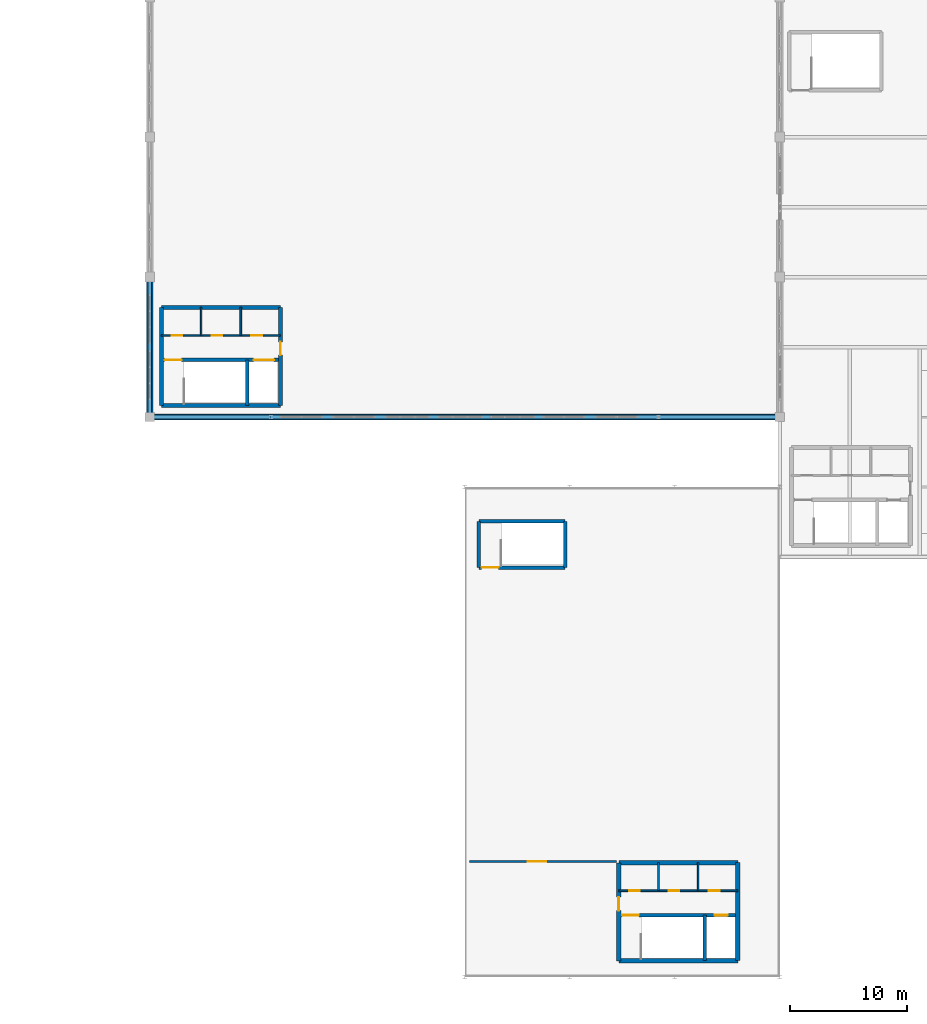
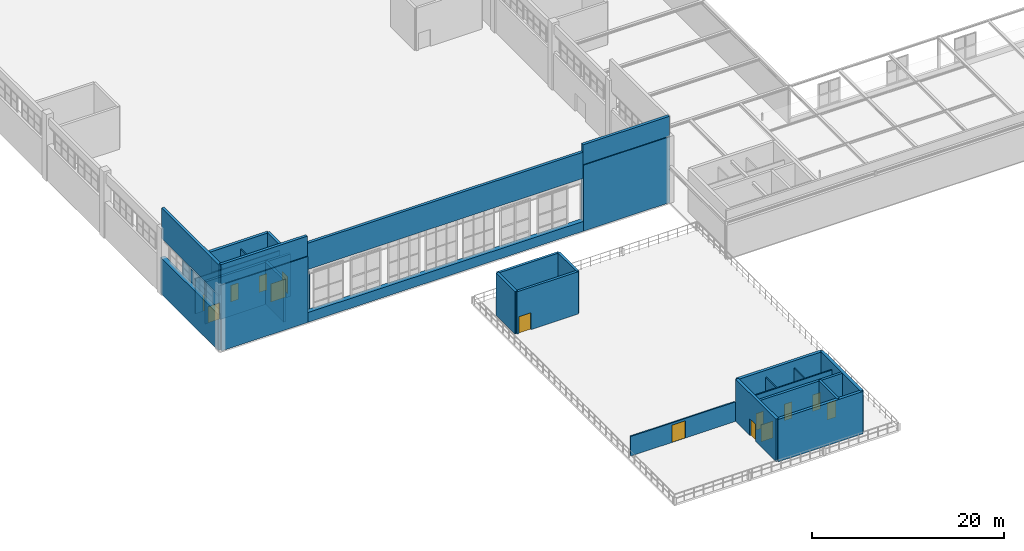
# One storey, part 77 of 97: 31 walls, 14 doors, 14 openings.
"""IFC4 building model written with IfcOpenShell, lengths in metres."""

from ifc_helpers import new_model, si_unit, derived_unit, direction, frame, frame_2d, origin, place, context, subcontext, project, spatial, rectangle, extrude, material, layer, layer_set, type_object, element, fill, save


model = new_model("IFC4")

# Units and contexts
model_context = context("Model", 3, precision=1e-05, world=origin(), true_north=direction((0.0, 1.0)))
body_context = subcontext(model_context, "Body", "Model", "MODEL_VIEW")
ifc_project = project(units=[si_unit("LENGTHUNIT", "METRE"), si_unit("AREAUNIT", "SQUARE_METRE"), si_unit("VOLUMEUNIT", "CUBIC_METRE"), si_unit("PLANEANGLEUNIT", "RADIAN"), si_unit("MASSUNIT", "GRAM", prefix="KILO"), derived_unit("THERMALTRANSMITTANCEUNIT", [(si_unit("POWERUNIT", "WATT"), 1), (si_unit("LENGTHUNIT", "METRE"), -2), (si_unit("THERMODYNAMICTEMPERATUREUNIT", "KELVIN"), -1)])], contexts=[model_context])

# Site, building, storey
site_placement = place(None, origin())
site = spatial("IfcSite", under=ifc_project, at=site_placement, CompositionType="ELEMENT")
building_placement = place(site_placement, origin())
building = spatial("IfcBuilding", under=site, at=building_placement, Name="Almenara Railside Exhibition Hall", CompositionType="ELEMENT")
storey_placement = place(building_placement, frame((0.0, 0.0, 10.800048828125)))
storey = spatial("IfcBuildingStorey", under=building, at=storey_placement, Name="L02", CompositionType="ELEMENT", Elevation=10.800048828125)

# Wall, opening, door
ifc_material_1 = material(Name="Double-stud acoustic gypsum partition")
ifc_layer_1 = layer(ifc_material_1, 0.159912109375, Name="Double-stud acoustic gypsum partition")
ifc_layer_set_1 = layer_set([ifc_layer_1], Name="Double-stud acoustic gypsum partition")
wall_type_1 = type_object("IfcWallType", Name="Acoustic Congress Partition 160mm", PredefinedType="PARTITIONING", material=ifc_layer_set_1)
wall_1_placement = place(storey_placement, frame((39.39990234375, 9.89990234375, 0.0), z_axis=(0.0, 0.0, 1.0), x_axis=(1.0, 0.0, 0.0)))
wall_1 = element("IfcWall", 1, at=wall_1_placement, inside=storey, type_object=wall_type_1, Name="Interior wall 0398", PredefinedType="PARTITIONING", context=body_context, shape_type="SweptSolid", body=[
    extrude(rectangle(XDim=12.60009765625, YDim=0.159912109375, at=frame_2d((6.300048828125, 0.0))), origin(), (0.0, 0.0, 1.0), 2.5),
])
opening_1_placement = place(wall_1_placement, frame((5.0, 0.0, 0.0)))
opening_1 = element("IfcOpeningElement", 2, at=opening_1_placement, cuts=wall_1, Name="Opening ID-16", PredefinedType="OPENING", context=body_context, shape_type="SweptSolid", body=[
    extrude(rectangle(XDim=1.60009765625, YDim=2.199951171875, at=frame_2d((0.800048828125, 1.10009765625))), frame((0.0, 0.08984375, 0.0), z_axis=(0.0, -1.0, 0.0), x_axis=(1.0, 0.0, 0.0)), (0.0, 0.0, 1.0), 0.179931640625),
])
ifc_material_2 = material(Name="Iroko hardwood double door", Category="wood")
door_type_1 = type_object("IfcDoorType", Name="Meeting Suite Double Door 1600x2200", OperationType="NOTDEFINED", PredefinedType="DOOR", material=ifc_material_2)
door_1_placement = place(opening_1_placement, origin())
door_1 = element("IfcDoor", 3, at=door_1_placement, inside=storey, type_object=door_type_1, Name="Interior door ID-16-286", OperationType="DOUBLE_DOOR_SINGLE_SWING", OverallHeight=2.199951171875, OverallWidth=1.60009765625, PredefinedType="DOOR", context=body_context, shape_type="SweptSolid", body=[
    extrude(rectangle(XDim=1.60009765625, YDim=2.199951171875, at=frame_2d((0.800048828125, 1.10009765625))), frame((0.0, 0.02490234375, 0.0), z_axis=(0.0, -1.0, 0.0), x_axis=(1.0, 0.0, 0.0)), (0.0, 0.0, 1.0), 0.050048828125),
])
fill(opening_1, door_1)

# Walls
ifc_material_3 = material(Name="Concrete C35/45", Category="concrete")
ifc_layer_2 = layer(ifc_material_3, 0.35009765625, Name="Concrete C35/45")
ifc_layer_set_2 = layer_set([ifc_layer_2], Name="Concrete C35/45")
wall_type_2 = type_object("IfcWallType", Name="Core Coupled Shear Wall 350mm C35/45", PredefinedType="SHEAR", material=ifc_layer_set_2)
for number, where, z_axis, x_axis, name in (
    (4, (13.0, 49.0, 0.0), (0.0, 0.0, 1.0), (1.0, 0.0, 0.0), "Interior wall 0019"),
    (5, (23.199951171875, 57.39990234375, 0.0), (0.0, 0.0, 1.0), (-1.0, 0.0, 0.0), "Interior wall 0020"),
):
    element("IfcWall", number, at=place(storey_placement, frame(where, z_axis=z_axis, x_axis=x_axis)), inside=storey, type_object=wall_type_2, Name=name, PredefinedType="SHEAR", context=body_context, shape_type="SweptSolid", body=[
        extrude(rectangle(XDim=10.199951171875, YDim=0.35009765625, at=frame_2d((5.10009765625, 0.0))), origin(), (0.0, 0.0, 1.0), 5.39990234375),
    ])
wall_2_placement = place(storey_placement, frame((13.0, 57.39990234375, 0.0), z_axis=(0.0, 0.0, 1.0), x_axis=(0.0, -1.0, 0.0)))
element("IfcWall", 6, at=wall_2_placement, inside=storey, type_object=wall_type_2, Name="Interior wall 0021", PredefinedType="SHEAR", context=body_context, shape_type="SweptSolid", body=[
    extrude(rectangle(XDim=8.39990234375, YDim=0.35009765625, at=frame_2d((4.199951171875, 0.0))), origin(), (0.0, 0.0, 1.0), 5.39990234375),
])

# Wall, opening, door
wall_3_placement = place(storey_placement, frame((23.199951171875, 49.0, 0.0), z_axis=(0.0, 0.0, 1.0), x_axis=(0.0, 1.0, 0.0)))
wall_3 = element("IfcWall", 7, at=wall_3_placement, inside=storey, type_object=wall_type_2, Name="Interior wall 0022", PredefinedType="SHEAR", context=body_context, shape_type="SweptSolid", body=[
    extrude(rectangle(XDim=8.39990234375, YDim=0.35009765625, at=frame_2d((4.199951171875, 0.0))), origin(), (0.0, 0.0, 1.0), 5.39990234375),
])
opening_2_placement = place(wall_3_placement, frame((4.300048828125, 0.0, 0.0)))
opening_2 = element("IfcOpeningElement", 8, at=opening_2_placement, cuts=wall_3, Name="Opening FD-115", PredefinedType="OPENING", context=body_context, shape_type="SweptSolid", body=[
    extrude(rectangle(XDim=1.14990234375, YDim=2.14990234375, at=frame_2d((0.574951171875, 1.074951171875))), frame((0.0, 0.18505859375, 0.0), z_axis=(0.0, -1.0, 0.0), x_axis=(1.0, 0.0, 0.0)), (0.0, 0.0, 1.0), 0.3701171875),
])
ifc_material_4 = material(Name="Fire-rated iroko timber door", Category="wood")
door_type_2 = type_object("IfcDoorType", Name="Core Lobby Fire Door 1150x2150 EI60", OperationType="NOTDEFINED", PredefinedType="DOOR", material=ifc_material_4)
door_2_placement = place(opening_2_placement, origin())
door_2 = element("IfcDoor", 9, at=door_2_placement, inside=storey, type_object=door_type_2, Name="Interior door FD-115-013", OperationType="SINGLE_SWING_LEFT", OverallHeight=2.14990234375, OverallWidth=1.14990234375, PredefinedType="DOOR", context=body_context, shape_type="SweptSolid", body=[
    extrude(rectangle(XDim=1.14990234375, YDim=2.14990234375, at=frame_2d((0.574951171875, 1.074951171875))), frame((0.0, 0.02490234375, 0.0), z_axis=(0.0, -1.0, 0.0), x_axis=(1.0, 0.0, 0.0)), (0.0, 0.0, 1.0), 0.050048828125),
])
fill(opening_2, door_2)

# Walls
for number, where, z_axis, x_axis, name in (
    (10, (52.199951171875, 1.39990234375, 0.0), (0.0, 0.0, 1.0), (1.0, 0.0, 0.0), "Interior wall 0208"),
    (11, (62.39990234375, 9.800048828125, 0.0), (0.0, 0.0, 1.0), (-1.0, 0.0, 0.0), "Interior wall 0209"),
):
    element("IfcWall", number, at=place(storey_placement, frame(where, z_axis=z_axis, x_axis=x_axis)), inside=storey, type_object=wall_type_2, Name=name, PredefinedType="SHEAR", context=body_context, shape_type="SweptSolid", body=[
        extrude(rectangle(XDim=10.199951171875, YDim=0.35009765625, at=frame_2d((5.10009765625, 0.0))), origin(), (0.0, 0.0, 1.0), 5.39990234375),
    ])

# Wall, opening, door
wall_4_placement = place(storey_placement, frame((52.199951171875, 9.800048828125, 0.0), z_axis=(0.0, 0.0, 1.0), x_axis=(0.0, -1.0, 0.0)))
wall_4 = element("IfcWall", 12, at=wall_4_placement, inside=storey, type_object=wall_type_2, Name="Interior wall 0210", PredefinedType="SHEAR", context=body_context, shape_type="SweptSolid", body=[
    extrude(rectangle(XDim=8.400146484375, YDim=0.35009765625, at=frame_2d((4.2001953125, 0.0))), origin(), (0.0, 0.0, 1.0), 5.39990234375),
])
opening_3_placement = place(wall_4_placement, frame((2.949951171875, 0.0, 0.0)))
opening_3 = element("IfcOpeningElement", 13, at=opening_3_placement, cuts=wall_4, Name="Opening FD-115", PredefinedType="OPENING", context=body_context, shape_type="SweptSolid", body=[
    extrude(rectangle(XDim=1.14990234375, YDim=2.14990234375, at=frame_2d((0.574951171875, 1.074951171875))), frame((0.0, 0.18505859375, 0.0), z_axis=(0.0, -1.0, 0.0), x_axis=(1.0, 0.0, 0.0)), (0.0, 0.0, 1.0), 0.3701171875),
])
door_3_placement = place(opening_3_placement, origin())
door_3 = element("IfcDoor", 14, at=door_3_placement, inside=storey, type_object=door_type_2, Name="Interior door FD-115-139", OperationType="SINGLE_SWING_LEFT", OverallHeight=2.14990234375, OverallWidth=1.14990234375, PredefinedType="DOOR", context=body_context, shape_type="SweptSolid", body=[
    extrude(rectangle(XDim=1.14990234375, YDim=2.14990234375, at=frame_2d((0.574951171875, 1.074951171875))), frame((0.0, 0.02490234375, 0.0), z_axis=(0.0, -1.0, 0.0), x_axis=(1.0, 0.0, 0.0)), (0.0, 0.0, 1.0), 0.050048828125),
])
fill(opening_3, door_3)

# Walls
wall_5_placement = place(storey_placement, frame((62.39990234375, 1.39990234375, 0.0), z_axis=(0.0, 0.0, 1.0), x_axis=(0.0, 1.0, 0.0)))
element("IfcWall", 15, at=wall_5_placement, inside=storey, type_object=wall_type_2, Name="Interior wall 0211", PredefinedType="SHEAR", context=body_context, shape_type="SweptSolid", body=[
    extrude(rectangle(XDim=8.400146484375, YDim=0.35009765625, at=frame_2d((4.2001953125, 0.0))), origin(), (0.0, 0.0, 1.0), 5.39990234375),
])
ifc_material_5 = material(Name="Ochre-white lime-rendered masonry over Concrete C35/45", Category="masonry")
ifc_layer_3 = layer(ifc_material_5, 0.3349609375, Name="Ochre-white lime-rendered masonry over Concrete C35/45")
ifc_layer_set_3 = layer_set([ifc_layer_3], Name="Ochre-white lime-rendered masonry over Concrete C35/45")
wall_type_3 = type_object("IfcWallType", Name="Exterior Belvedere Wall 335mm C35/45", PredefinedType="SOLIDWALL", material=ifc_layer_set_3)
wall_6_placement = place(storey_placement, frame((12.0, 60.0, 7.0), z_axis=(0.0, 0.0, 1.0), x_axis=(0.0, -1.0, 0.0)))
element("IfcWall", 16, at=wall_6_placement, inside=storey, type_object=wall_type_3, Name="Exterior wall 0311", PredefinedType="SOLIDWALL", context=body_context, shape_type="SweptSolid", body=[
    extrude(rectangle(XDim=12.0, YDim=0.3349609375, at=frame_2d((6.0, 0.0))), origin(), (0.0, 0.0, 1.0), 3.849853515625),
])
for number, where, z_axis, x_axis, name in (
    (17, (12.0, 48.0, 8.39990234375), (0.0, 0.0, 1.0), (1.0, 0.0, 0.0), "Exterior wall 0324"),
    (18, (55.60009765625, 48.0, 8.39990234375), (0.0, 0.0, 1.0), (1.0, 0.0, 0.0), "Exterior wall 0325"),
):
    element("IfcWall", number, at=place(storey_placement, frame(where, z_axis=z_axis, x_axis=x_axis)), inside=storey, type_object=wall_type_3, Name=name, PredefinedType="SOLIDWALL", context=body_context, shape_type="SweptSolid", body=[
        extrude(rectangle(XDim=10.39990234375, YDim=0.3349609375, at=frame_2d((5.199951171875, 0.0))), origin(), (0.0, 0.0, 1.0), 2.5263671875),
    ])
wall_7_placement = place(storey_placement, frame((22.39990234375, 48.0, 6.64990234375), z_axis=(0.0, 0.0, 1.0), x_axis=(1.0, 0.0, 0.0)))
element("IfcWall", 19, at=wall_7_placement, inside=storey, type_object=wall_type_3, Name="Exterior wall 0326", PredefinedType="SOLIDWALL", context=body_context, shape_type="SweptSolid", body=[
    extrude(rectangle(XDim=33.2001953125, YDim=0.3349609375, at=frame_2d((16.60009765625, 0.0))), origin(), (0.0, 0.0, 1.0), 3.35009765625),
])
ifc_layer_4 = layer(ifc_material_5, 0.5400390625, Name="Ochre-white lime-rendered masonry over Concrete C35/45")
ifc_layer_set_4 = layer_set([ifc_layer_4], Name="Ochre-white lime-rendered masonry over Concrete C35/45")
wall_type_4 = type_object("IfcWallType", Name="Exterior West Hall Thermal Wall 540mm C35/45", PredefinedType="SOLIDWALL", material=ifc_layer_set_4)
wall_8_placement = place(storey_placement, frame((12.0, 60.0, 0.0), z_axis=(0.0, 0.0, 1.0), x_axis=(0.0, -1.0, 0.0)))
element("IfcWall", 20, at=wall_8_placement, inside=storey, type_object=wall_type_4, Name="Exterior wall 0025", PredefinedType="SOLIDWALL", context=body_context, shape_type="SweptSolid", body=[
    extrude(rectangle(XDim=12.0, YDim=0.5400390625, at=frame_2d((6.0, 0.0))), origin(), (0.0, 0.0, 1.0), 4.599853515625),
])
wall_9_placement = place(storey_placement, frame((12.0, 48.0, 0.0), z_axis=(0.0, 0.0, 1.0), x_axis=(1.0, 0.0, 0.0)))
element("IfcWall", 21, at=wall_9_placement, inside=storey, type_object=wall_type_4, Name="Exterior wall 0057", PredefinedType="SOLIDWALL", context=body_context, shape_type="SweptSolid", body=[
    extrude(rectangle(XDim=10.39990234375, YDim=0.5400390625, at=frame_2d((5.199951171875, 0.0))), origin(), (0.0, 0.0, 1.0), 8.39990234375),
])
wall_10_placement = place(storey_placement, frame((22.39990234375, 48.0, 0.0), z_axis=(0.0, 0.0, 1.0), x_axis=(1.0, 0.0, 0.0)))
element("IfcWall", 22, at=wall_10_placement, inside=storey, type_object=wall_type_4, Name="Exterior wall 0060", PredefinedType="SOLIDWALL", context=body_context, shape_type="SweptSolid", body=[
    extrude(rectangle(XDim=33.2001953125, YDim=0.5400390625, at=frame_2d((16.60009765625, 0.0))), origin(), (0.0, 0.0, 1.0), 1.25),
])
wall_11_placement = place(storey_placement, frame((55.60009765625, 48.0, 0.0), z_axis=(0.0, 0.0, 1.0), x_axis=(1.0, 0.0, 0.0)))
element("IfcWall", 23, at=wall_11_placement, inside=storey, type_object=wall_type_4, Name="Exterior wall 0063", PredefinedType="SOLIDWALL", context=body_context, shape_type="SweptSolid", body=[
    extrude(rectangle(XDim=10.39990234375, YDim=0.5400390625, at=frame_2d((5.199951171875, 0.0))), origin(), (0.0, 0.0, 1.0), 8.39990234375),
])

# Wall, openings, doors
ifc_material_6 = material(Name="Moisture-resistant tiled masonry partition", Category="masonry")
ifc_layer_5 = layer(ifc_material_6, 0.139892578125, Name="Moisture-resistant tiled masonry partition")
ifc_layer_set_5 = layer_set([ifc_layer_5], Name="Moisture-resistant tiled masonry partition")
wall_type_5 = type_object("IfcWallType", Name="Sanitary Wet-Wall Partition 140mm", PredefinedType="PARTITIONING", material=ifc_layer_set_5)
wall_12_placement = place(storey_placement, frame((13.0, 55.0, 0.0), z_axis=(0.0, 0.0, 1.0), x_axis=(1.0, 0.0, 0.0)))
wall_12 = element("IfcWall", 24, at=wall_12_placement, inside=storey, type_object=wall_type_5, Name="Interior wall 0025", PredefinedType="PARTITIONING", context=body_context, shape_type="SweptSolid", body=[
    extrude(rectangle(XDim=10.199951171875, YDim=0.139892578125, at=frame_2d((5.10009765625, 0.0))), origin(), (0.0, 0.0, 1.0), 4.5),
])
opening_4_placement = place(wall_12_placement, frame((0.89990234375, 0.0, 0.0)))
opening_4 = element("IfcOpeningElement", 25, at=opening_4_placement, cuts=wall_12, Name="Opening ID-09", PredefinedType="OPENING", context=body_context, shape_type="SweptSolid", body=[
    extrude(rectangle(XDim=0.89990234375, YDim=2.10009765625, at=frame_2d((0.449951171875, 1.050048828125))), frame((0.0, 0.079833984375, 0.0), z_axis=(0.0, -1.0, 0.0), x_axis=(1.0, 0.0, 0.0)), (0.0, 0.0, 1.0), 0.159912109375),
])
opening_5_placement = place(wall_12_placement, frame((4.300048828125, 0.0, 0.0)))
opening_5 = element("IfcOpeningElement", 26, at=opening_5_placement, cuts=wall_12, Name="Opening ID-09", PredefinedType="OPENING", context=body_context, shape_type="SweptSolid", body=[
    extrude(rectangle(XDim=0.89990234375, YDim=2.10009765625, at=frame_2d((0.449951171875, 1.050048828125))), frame((0.0, 0.079833984375, 0.0), z_axis=(0.0, -1.0, 0.0), x_axis=(1.0, 0.0, 0.0)), (0.0, 0.0, 1.0), 0.159912109375),
])
opening_6_placement = place(wall_12_placement, frame((7.699951171875, 0.0, 0.0)))
opening_6 = element("IfcOpeningElement", 27, at=opening_6_placement, cuts=wall_12, Name="Opening ID-095", PredefinedType="OPENING", context=body_context, shape_type="SweptSolid", body=[
    extrude(rectangle(XDim=0.949951171875, YDim=2.10009765625, at=frame_2d((0.47509765625, 1.050048828125))), frame((0.0, 0.079833984375, 0.0), z_axis=(0.0, -1.0, 0.0), x_axis=(1.0, 0.0, 0.0)), (0.0, 0.0, 1.0), 0.159912109375),
])
ifc_material_7 = material(Name="Moisture-resistant hardwood door", Category="wood")
door_type_3 = type_object("IfcDoorType", Name="Accessible Toilet Door 950x2100", OperationType="NOTDEFINED", PredefinedType="DOOR", material=ifc_material_7)
door_4_placement = place(opening_6_placement, origin())
door_4 = element("IfcDoor", 28, at=door_4_placement, inside=storey, type_object=door_type_3, Name="Interior door ID-095-018", OperationType="SINGLE_SWING_RIGHT", OverallHeight=2.10009765625, OverallWidth=0.949951171875, PredefinedType="DOOR", context=body_context, shape_type="SweptSolid", body=[
    extrude(rectangle(XDim=0.949951171875, YDim=2.10009765625, at=frame_2d((0.47509765625, 1.050048828125))), frame((0.0, 0.02490234375, 0.0), z_axis=(0.0, -1.0, 0.0), x_axis=(1.0, 0.0, 0.0)), (0.0, 0.0, 1.0), 0.050048828125),
])
fill(opening_6, door_4)
door_type_4 = type_object("IfcDoorType", Name="Sanitary Lobby Single Door 900x2100", OperationType="NOTDEFINED", PredefinedType="DOOR", material=ifc_material_7)
door_5_placement = place(opening_4_placement, origin())
door_5 = element("IfcDoor", 29, at=door_5_placement, inside=storey, type_object=door_type_4, Name="Interior door ID-09-016", OperationType="SINGLE_SWING_RIGHT", OverallHeight=2.10009765625, OverallWidth=0.89990234375, PredefinedType="DOOR", context=body_context, shape_type="SweptSolid", body=[
    extrude(rectangle(XDim=0.89990234375, YDim=2.10009765625, at=frame_2d((0.449951171875, 1.050048828125))), frame((0.0, 0.02490234375, 0.0), z_axis=(0.0, -1.0, 0.0), x_axis=(1.0, 0.0, 0.0)), (0.0, 0.0, 1.0), 0.050048828125),
])
fill(opening_4, door_5)
door_6_placement = place(opening_5_placement, origin())
door_6 = element("IfcDoor", 30, at=door_6_placement, inside=storey, type_object=door_type_4, Name="Interior door ID-09-017", OperationType="SINGLE_SWING_LEFT", OverallHeight=2.10009765625, OverallWidth=0.89990234375, PredefinedType="DOOR", context=body_context, shape_type="SweptSolid", body=[
    extrude(rectangle(XDim=0.89990234375, YDim=2.10009765625, at=frame_2d((0.449951171875, 1.050048828125))), frame((0.0, 0.02490234375, 0.0), z_axis=(0.0, -1.0, 0.0), x_axis=(1.0, 0.0, 0.0)), (0.0, 0.0, 1.0), 0.050048828125),
])
fill(opening_5, door_6)

# Walls
for number, where, z_axis, x_axis, name in (
    (31, (16.39990234375, 55.0, 0.0), (0.0, 0.0, 1.0), (0.0, 1.0, 0.0), "Interior wall 0026"),
    (32, (19.800048828125, 55.0, 0.0), (0.0, 0.0, 1.0), (0.0, 1.0, 0.0), "Interior wall 0027"),
):
    element("IfcWall", number, at=place(storey_placement, frame(where, z_axis=z_axis, x_axis=x_axis)), inside=storey, type_object=wall_type_5, Name=name, PredefinedType="PARTITIONING", context=body_context, shape_type="SweptSolid", body=[
        extrude(rectangle(XDim=2.39990234375, YDim=0.139892578125, at=frame_2d((1.199951171875, 0.0))), origin(), (0.0, 0.0, 1.0), 4.5),
    ])

# Wall, openings, doors
wall_13_placement = place(storey_placement, frame((52.199951171875, 7.39990234375, 0.0), z_axis=(0.0, 0.0, 1.0), x_axis=(1.0, 0.0, 0.0)))
wall_13 = element("IfcWall", 33, at=wall_13_placement, inside=storey, type_object=wall_type_5, Name="Interior wall 0214", PredefinedType="PARTITIONING", context=body_context, shape_type="SweptSolid", body=[
    extrude(rectangle(XDim=10.199951171875, YDim=0.139892578125, at=frame_2d((5.10009765625, 0.0))), origin(), (0.0, 0.0, 1.0), 4.5),
])
opening_7_placement = place(wall_13_placement, frame((0.89990234375, 0.0, 0.0)))
opening_7 = element("IfcOpeningElement", 34, at=opening_7_placement, cuts=wall_13, Name="Opening ID-09", PredefinedType="OPENING", context=body_context, shape_type="SweptSolid", body=[
    extrude(rectangle(XDim=0.89990234375, YDim=2.10009765625, at=frame_2d((0.449951171875, 1.050048828125))), frame((0.0, 0.079833984375, 0.0), z_axis=(0.0, -1.0, 0.0), x_axis=(1.0, 0.0, 0.0)), (0.0, 0.0, 1.0), 0.159912109375),
])
opening_8_placement = place(wall_13_placement, frame((4.300048828125, 0.0, 0.0)))
opening_8 = element("IfcOpeningElement", 35, at=opening_8_placement, cuts=wall_13, Name="Opening ID-09", PredefinedType="OPENING", context=body_context, shape_type="SweptSolid", body=[
    extrude(rectangle(XDim=0.89990234375, YDim=2.10009765625, at=frame_2d((0.449951171875, 1.050048828125))), frame((0.0, 0.079833984375, 0.0), z_axis=(0.0, -1.0, 0.0), x_axis=(1.0, 0.0, 0.0)), (0.0, 0.0, 1.0), 0.159912109375),
])
opening_9_placement = place(wall_13_placement, frame((7.699951171875, 0.0, 0.0)))
opening_9 = element("IfcOpeningElement", 36, at=opening_9_placement, cuts=wall_13, Name="Opening ID-095", PredefinedType="OPENING", context=body_context, shape_type="SweptSolid", body=[
    extrude(rectangle(XDim=0.949951171875, YDim=2.10009765625, at=frame_2d((0.47509765625, 1.050048828125))), frame((0.0, 0.079833984375, 0.0), z_axis=(0.0, -1.0, 0.0), x_axis=(1.0, 0.0, 0.0)), (0.0, 0.0, 1.0), 0.159912109375),
])
door_7_placement = place(opening_9_placement, origin())
door_7 = element("IfcDoor", 37, at=door_7_placement, inside=storey, type_object=door_type_3, Name="Interior door ID-095-144", OperationType="SINGLE_SWING_RIGHT", OverallHeight=2.10009765625, OverallWidth=0.949951171875, PredefinedType="DOOR", context=body_context, shape_type="SweptSolid", body=[
    extrude(rectangle(XDim=0.949951171875, YDim=2.10009765625, at=frame_2d((0.47509765625, 1.050048828125))), frame((0.0, 0.02490234375, 0.0), z_axis=(0.0, -1.0, 0.0), x_axis=(1.0, 0.0, 0.0)), (0.0, 0.0, 1.0), 0.050048828125),
])
fill(opening_9, door_7)
door_8_placement = place(opening_7_placement, origin())
door_8 = element("IfcDoor", 38, at=door_8_placement, inside=storey, type_object=door_type_4, Name="Interior door ID-09-142", OperationType="SINGLE_SWING_RIGHT", OverallHeight=2.10009765625, OverallWidth=0.89990234375, PredefinedType="DOOR", context=body_context, shape_type="SweptSolid", body=[
    extrude(rectangle(XDim=0.89990234375, YDim=2.10009765625, at=frame_2d((0.449951171875, 1.050048828125))), frame((0.0, 0.02490234375, 0.0), z_axis=(0.0, -1.0, 0.0), x_axis=(1.0, 0.0, 0.0)), (0.0, 0.0, 1.0), 0.050048828125),
])
fill(opening_7, door_8)
door_9_placement = place(opening_8_placement, origin())
door_9 = element("IfcDoor", 39, at=door_9_placement, inside=storey, type_object=door_type_4, Name="Interior door ID-09-143", OperationType="SINGLE_SWING_LEFT", OverallHeight=2.10009765625, OverallWidth=0.89990234375, PredefinedType="DOOR", context=body_context, shape_type="SweptSolid", body=[
    extrude(rectangle(XDim=0.89990234375, YDim=2.10009765625, at=frame_2d((0.449951171875, 1.050048828125))), frame((0.0, 0.02490234375, 0.0), z_axis=(0.0, -1.0, 0.0), x_axis=(1.0, 0.0, 0.0)), (0.0, 0.0, 1.0), 0.050048828125),
])
fill(opening_8, door_9)

# Walls
for number, where, z_axis, x_axis, name in (
    (40, (55.60009765625, 7.39990234375, 0.0), (0.0, 0.0, 1.0), (0.0, 1.0, 0.0), "Interior wall 0215"),
    (41, (59.0, 7.39990234375, 0.0), (0.0, 0.0, 1.0), (0.0, 1.0, 0.0), "Interior wall 0216"),
):
    element("IfcWall", number, at=place(storey_placement, frame(where, z_axis=z_axis, x_axis=x_axis)), inside=storey, type_object=wall_type_5, Name=name, PredefinedType="PARTITIONING", context=body_context, shape_type="SweptSolid", body=[
        extrude(rectangle(XDim=2.400146484375, YDim=0.139892578125, at=frame_2d((1.2001953125, 0.0))), origin(), (0.0, 0.0, 1.0), 4.5),
    ])

# Wall, openings, doors
ifc_layer_6 = layer(ifc_material_3, 0.300048828125, Name="Concrete C35/45")
ifc_layer_set_6 = layer_set([ifc_layer_6], Name="Concrete C35/45")
wall_type_6 = type_object("IfcWallType", Name="Stair and Lift Shaft Wall 300mm C35/45", PredefinedType="SHEAR", material=ifc_layer_set_6)
wall_14_placement = place(storey_placement, frame((13.0, 52.89990234375, 0.0), z_axis=(0.0, 0.0, 1.0), x_axis=(1.0, 0.0, 0.0)))
wall_14 = element("IfcWall", 42, at=wall_14_placement, inside=storey, type_object=wall_type_6, Name="Interior wall 0023", PredefinedType="SHEAR", context=body_context, shape_type="SweptSolid", body=[
    extrude(rectangle(XDim=10.199951171875, YDim=0.300048828125, at=frame_2d((5.10009765625, 0.0))), origin(), (0.0, 0.0, 1.0), 5.39990234375),
])
opening_10_placement = place(wall_14_placement, frame((0.280029296875, 0.0, 0.0)))
opening_10 = element("IfcOpeningElement", 43, at=opening_10_placement, cuts=wall_14, Name="Opening FD-145", PredefinedType="OPENING", context=body_context, shape_type="SweptSolid", body=[
    extrude(rectangle(XDim=1.449951171875, YDim=2.14990234375, at=frame_2d((0.72509765625, 1.074951171875))), frame((0.0, 0.159912109375, 0.0), z_axis=(0.0, -1.0, 0.0), x_axis=(1.0, 0.0, 0.0)), (0.0, 0.0, 1.0), 0.320068359375),
])
opening_11_placement = place(wall_14_placement, frame((7.89990234375, 0.0, 0.0)))
opening_11 = element("IfcOpeningElement", 44, at=opening_11_placement, cuts=wall_14, Name="Opening LD-175-C1", PredefinedType="OPENING", context=body_context, shape_type="SweptSolid", body=[
    extrude(rectangle(XDim=1.75, YDim=2.300048828125, at=frame_2d((0.875, 1.14990234375))), frame((0.0, 0.159912109375, 0.0), z_axis=(0.0, -1.0, 0.0), x_axis=(1.0, 0.0, 0.0)), (0.0, 0.0, 1.0), 0.320068359375),
])
ifc_material_8 = material(Name="Steel-framed fire-rated timber door", Category="steel")
door_type_5 = type_object("IfcDoorType", Name="Fire Escape Stair Door 1450x2150 EI60", OperationType="NOTDEFINED", PredefinedType="DOOR", material=ifc_material_8)
door_10_placement = place(opening_10_placement, origin())
door_10 = element("IfcDoor", 45, at=door_10_placement, inside=storey, type_object=door_type_5, Name="Interior door FD-145-014", OperationType="DOUBLE_DOOR_SINGLE_SWING", OverallHeight=2.14990234375, OverallWidth=1.449951171875, PredefinedType="DOOR", context=body_context, shape_type="SweptSolid", body=[
    extrude(rectangle(XDim=1.449951171875, YDim=2.14990234375, at=frame_2d((0.72509765625, 1.074951171875))), frame((0.0, 0.02490234375, 0.0), z_axis=(0.0, -1.0, 0.0), x_axis=(1.0, 0.0, 0.0)), (0.0, 0.0, 1.0), 0.050048828125),
])
fill(opening_10, door_10)
ifc_material_9 = material(Name="Heavy-duty stainless steel sliding landing door", Category="steel")
door_type_6 = type_object("IfcDoorType", Name="Goods Lift Sliding Landing Door 1750x2300", OperationType="DOUBLE_DOOR_SLIDING", PredefinedType="DOOR", material=ifc_material_9)
door_11_placement = place(opening_11_placement, origin())
door_11 = element("IfcDoor", 46, at=door_11_placement, inside=storey, type_object=door_type_6, Name="Interior door LD-175-C1-015", OperationType="DOUBLE_DOOR_SLIDING", OverallHeight=2.300048828125, OverallWidth=1.75, PredefinedType="DOOR", context=body_context, shape_type="SweptSolid", body=[
    extrude(rectangle(XDim=1.75, YDim=2.300048828125, at=frame_2d((0.875, 1.14990234375))), frame((0.0, 0.02490234375, 0.0), z_axis=(0.0, -1.0, 0.0), x_axis=(1.0, 0.0, 0.0)), (0.0, 0.0, 1.0), 0.050048828125),
])
fill(opening_11, door_11)

# Wall
wall_15_placement = place(storey_placement, frame((20.35009765625, 49.0, 0.0), z_axis=(0.0, 0.0, 1.0), x_axis=(0.0, 1.0, 0.0)))
element("IfcWall", 47, at=wall_15_placement, inside=storey, type_object=wall_type_6, Name="Interior wall 0024", PredefinedType="SHEAR", context=body_context, shape_type="SweptSolid", body=[
    extrude(rectangle(XDim=3.89990234375, YDim=0.300048828125, at=frame_2d((1.949951171875, 0.0))), origin(), (0.0, 0.0, 1.0), 5.39990234375),
])

# Wall, openings, doors
wall_16_placement = place(storey_placement, frame((52.199951171875, 5.300048828125, 0.0), z_axis=(0.0, 0.0, 1.0), x_axis=(1.0, 0.0, 0.0)))
wall_16 = element("IfcWall", 48, at=wall_16_placement, inside=storey, type_object=wall_type_6, Name="Interior wall 0212", PredefinedType="SHEAR", context=body_context, shape_type="SweptSolid", body=[
    extrude(rectangle(XDim=10.199951171875, YDim=0.300048828125, at=frame_2d((5.10009765625, 0.0))), origin(), (0.0, 0.0, 1.0), 5.39990234375),
])
opening_12_placement = place(wall_16_placement, frame((0.280029296875, 0.0, 0.0)))
opening_12 = element("IfcOpeningElement", 49, at=opening_12_placement, cuts=wall_16, Name="Opening FD-145", PredefinedType="OPENING", context=body_context, shape_type="SweptSolid", body=[
    extrude(rectangle(XDim=1.449951171875, YDim=2.14990234375, at=frame_2d((0.72509765625, 1.074951171875))), frame((0.0, 0.159912109375, 0.0), z_axis=(0.0, -1.0, 0.0), x_axis=(1.0, 0.0, 0.0)), (0.0, 0.0, 1.0), 0.320068359375),
])
opening_13_placement = place(wall_16_placement, frame((8.22509765625, 0.0, 0.0)))
opening_13 = element("IfcOpeningElement", 50, at=opening_13_placement, cuts=wall_16, Name="Opening LD-11-C7", PredefinedType="OPENING", context=body_context, shape_type="SweptSolid", body=[
    extrude(rectangle(XDim=1.10009765625, YDim=2.14990234375, at=frame_2d((0.550048828125, 1.074951171875))), frame((0.0, 0.159912109375, 0.0), z_axis=(0.0, -1.0, 0.0), x_axis=(1.0, 0.0, 0.0)), (0.0, 0.0, 1.0), 0.320068359375),
])
door_12_placement = place(opening_12_placement, origin())
door_12 = element("IfcDoor", 51, at=door_12_placement, inside=storey, type_object=door_type_5, Name="Interior door FD-145-140", OperationType="DOUBLE_DOOR_SINGLE_SWING", OverallHeight=2.14990234375, OverallWidth=1.449951171875, PredefinedType="DOOR", context=body_context, shape_type="SweptSolid", body=[
    extrude(rectangle(XDim=1.449951171875, YDim=2.14990234375, at=frame_2d((0.72509765625, 1.074951171875))), frame((0.0, 0.02490234375, 0.0), z_axis=(0.0, -1.0, 0.0), x_axis=(1.0, 0.0, 0.0)), (0.0, 0.0, 1.0), 0.050048828125),
])
fill(opening_12, door_12)
ifc_material_10 = material(Name="Brushed bronze-stainless steel sliding landing door", Category="steel")
door_type_7 = type_object("IfcDoorType", Name="Passenger Lift Sliding Landing Door 1100x2150", OperationType="DOUBLE_DOOR_SLIDING", PredefinedType="DOOR", material=ifc_material_10)
door_13_placement = place(opening_13_placement, origin())
door_13 = element("IfcDoor", 52, at=door_13_placement, inside=storey, type_object=door_type_7, Name="Interior door LD-11-C7-141", OperationType="DOUBLE_DOOR_SLIDING", OverallHeight=2.14990234375, OverallWidth=1.10009765625, PredefinedType="DOOR", context=body_context, shape_type="SweptSolid", body=[
    extrude(rectangle(XDim=1.10009765625, YDim=2.14990234375, at=frame_2d((0.550048828125, 1.074951171875))), frame((0.0, 0.02490234375, 0.0), z_axis=(0.0, -1.0, 0.0), x_axis=(1.0, 0.0, 0.0)), (0.0, 0.0, 1.0), 0.050048828125),
])
fill(opening_13, door_13)

# Wall
wall_17_placement = place(storey_placement, frame((59.550048828125, 1.39990234375, 0.0), z_axis=(0.0, 0.0, 1.0), x_axis=(0.0, 1.0, 0.0)))
element("IfcWall", 53, at=wall_17_placement, inside=storey, type_object=wall_type_6, Name="Interior wall 0213", PredefinedType="SHEAR", context=body_context, shape_type="SweptSolid", body=[
    extrude(rectangle(XDim=3.900146484375, YDim=0.300048828125, at=frame_2d((1.9501953125, 0.0))), origin(), (0.0, 0.0, 1.0), 5.39990234375),
])

# Wall, opening, door
wall_18_placement = place(storey_placement, frame((40.199951171875, 35.10009765625, 0.0), z_axis=(0.0, 0.0, 1.0), x_axis=(1.0, 0.0, 0.0)))
wall_18 = element("IfcWall", 54, at=wall_18_placement, inside=storey, type_object=wall_type_6, Name="Interior wall 0340", PredefinedType="SHEAR", context=body_context, shape_type="SweptSolid", body=[
    extrude(rectangle(XDim=7.400146484375, YDim=0.300048828125, at=frame_2d((3.7001953125, 0.0))), origin(), (0.0, 0.0, 1.0), 5.39990234375),
])
opening_14_placement = place(wall_18_placement, frame((0.25, 0.0, 0.0)))
opening_14 = element("IfcOpeningElement", 55, at=opening_14_placement, cuts=wall_18, Name="Opening FD-145", PredefinedType="OPENING", context=body_context, shape_type="SweptSolid", body=[
    extrude(rectangle(XDim=1.449951171875, YDim=2.14990234375, at=frame_2d((0.72509765625, 1.074951171875))), frame((0.0, 0.159912109375, 0.0), z_axis=(0.0, -1.0, 0.0), x_axis=(1.0, 0.0, 0.0)), (0.0, 0.0, 1.0), 0.320068359375),
])
door_14_placement = place(opening_14_placement, origin())
door_14 = element("IfcDoor", 56, at=door_14_placement, inside=storey, type_object=door_type_5, Name="Interior door FD-145-200", OperationType="DOUBLE_DOOR_SINGLE_SWING", OverallHeight=2.14990234375, OverallWidth=1.449951171875, PredefinedType="DOOR", context=body_context, shape_type="SweptSolid", body=[
    extrude(rectangle(XDim=1.449951171875, YDim=2.14990234375, at=frame_2d((0.72509765625, 1.074951171875))), frame((0.0, 0.02490234375, 0.0), z_axis=(0.0, -1.0, 0.0), x_axis=(1.0, 0.0, 0.0)), (0.0, 0.0, 1.0), 0.050048828125),
])
fill(opening_14, door_14)

# Walls
wall_19_placement = place(storey_placement, frame((47.60009765625, 39.050048828125, 0.0), z_axis=(0.0, 0.0, 1.0), x_axis=(-1.0, 0.0, 0.0)))
element("IfcWall", 57, at=wall_19_placement, inside=storey, type_object=wall_type_6, Name="Interior wall 0341", PredefinedType="SHEAR", context=body_context, shape_type="SweptSolid", body=[
    extrude(rectangle(XDim=7.400146484375, YDim=0.300048828125, at=frame_2d((3.7001953125, 0.0))), origin(), (0.0, 0.0, 1.0), 5.39990234375),
])
for number, where, z_axis, x_axis, name in (
    (58, (40.199951171875, 39.050048828125, 0.0), (0.0, 0.0, 1.0), (0.0, -1.0, 0.0), "Interior wall 0342"),
    (59, (47.60009765625, 35.10009765625, 0.0), (0.0, 0.0, 1.0), (0.0, 1.0, 0.0), "Interior wall 0343"),
):
    element("IfcWall", number, at=place(storey_placement, frame(where, z_axis=z_axis, x_axis=x_axis)), inside=storey, type_object=wall_type_6, Name=name, PredefinedType="SHEAR", context=body_context, shape_type="SweptSolid", body=[
        extrude(rectangle(XDim=3.949951171875, YDim=0.300048828125, at=frame_2d((1.97509765625, 0.0))), origin(), (0.0, 0.0, 1.0), 5.39990234375),
    ])

save(model, "model.ifc")
